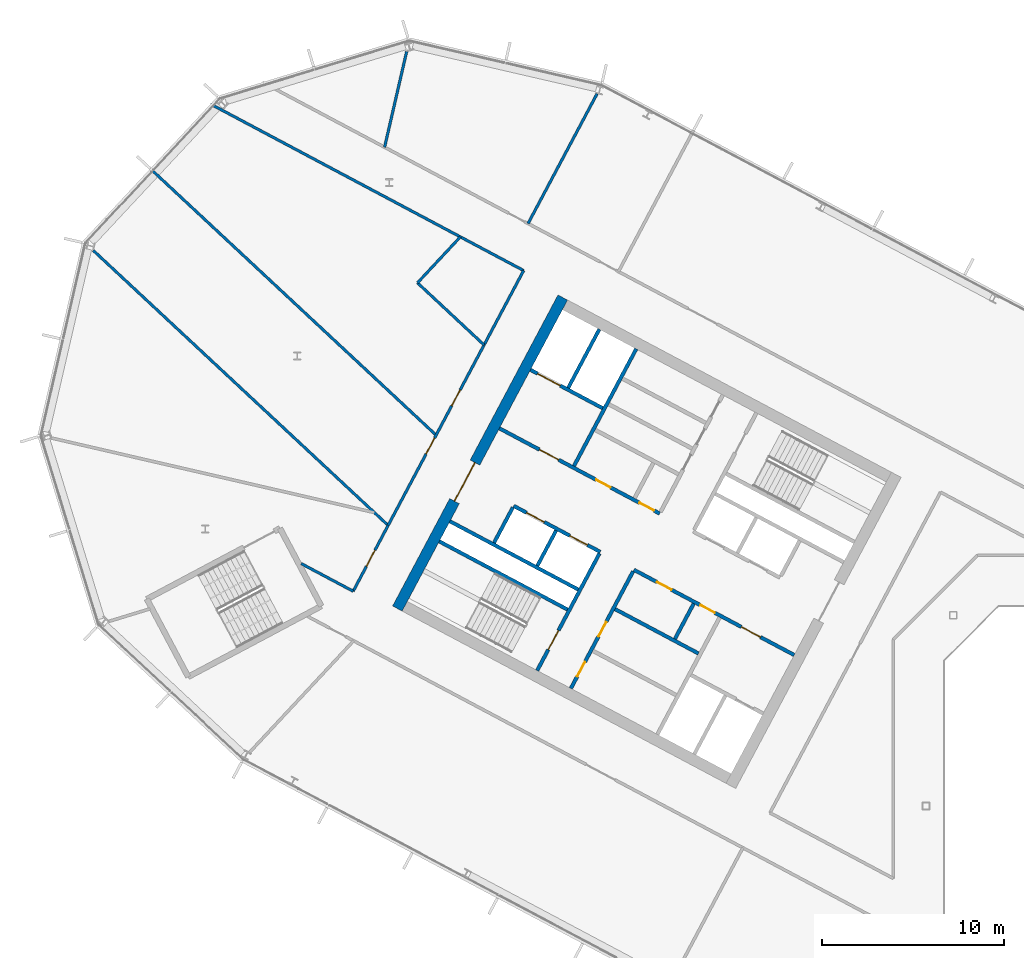
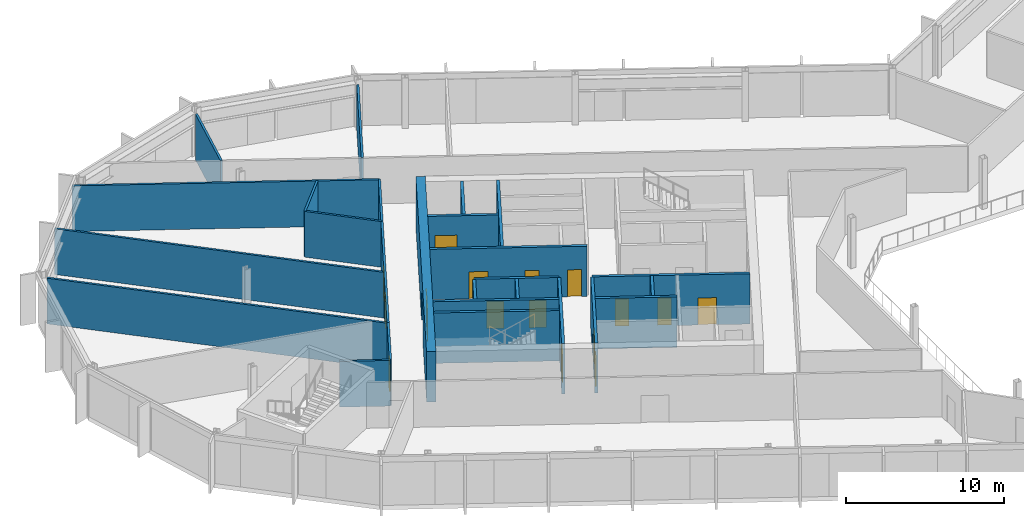
# One storey, part 13 of 26: 25 walls, 16 doors, 16 openings.
"""IFC4 building model written with IfcOpenShell, lengths in metres."""

import ifcopenshell
import ifcopenshell.guid

model = None  # the IFC model being written
_history = None  # IfcOwnerHistory: only IFC2X3 demands one
_inside = {}  # id of a spatial element -> (the spatial element, [elements in it])
_under = {}  # id of a project, library or spatial element -> (it, [spatial elements below it])
_declared = {}  # id of a project -> (the project, [libraries it declares])
_typed = {}  # id of a type object -> (the type object, [elements of that type])
_made_of = {}  # id of a material, layer set ... -> (it, [elements and type objects made of it])


def new_model(schema):
    """Start an empty IFC model of exactly this schema.

    Asked for "IFC4X3", IfcOpenShell would pick the latest addendum, in which some entities
    have other attributes; the version numbers below select the first issue.
    IFC2X3 requires an IfcOwnerHistory on every rooted entity: one is made here for all.
    """
    global model, _history
    if schema == "IFC4X3":
        model = ifcopenshell.file(schema_version=(4, 3, 0, 0))
    else:
        model = ifcopenshell.file(schema=schema)
    _inside.clear()
    _under.clear()
    _declared.clear()
    _typed.clear()
    _made_of.clear()
    _history = None
    if model.schema == "IFC2X3":
        org = make("IfcOrganization", Name="unknown")
        user = make(
            "IfcPersonAndOrganization",
            ThePerson=make("IfcPerson", FamilyName="unknown"),
            TheOrganization=org,
        )
        app = make(
            "IfcApplication",
            ApplicationDeveloper=org,
            Version="unknown",
            ApplicationFullName="unknown",
            ApplicationIdentifier="unknown",
        )
        _history = make(
            "IfcOwnerHistory",
            OwningUser=user,
            OwningApplication=app,
            ChangeAction="ADDED",
            CreationDate=0,
        )
    return model


def make(cls, **values):
    """One entity of the class cls with the attributes given. An attribute that is None is left unset."""
    return model.create_entity(
        cls, **{name: value for name, value in values.items() if value is not None}
    )


def rooted(cls, **values):
    """An entity with a GlobalId (a new one), such as an element, a storey or a relation."""
    return make(cls, GlobalId=ifcopenshell.guid.new(), OwnerHistory=_history, **values)


def si_unit(unit_type, name, prefix=None):
    """IfcSIUnit, for example si_unit("LENGTHUNIT", "METRE", prefix="MILLI")."""
    return make("IfcSIUnit", UnitType=unit_type, Prefix=prefix, Name=name)


def assignment(units):
    """IfcUnitAssignment: the units of a project."""
    return None if units is None else make("IfcUnitAssignment", Units=units)


def point(xyz):
    """IfcCartesianPoint."""
    return None if xyz is None else make("IfcCartesianPoint", Coordinates=xyz)


def direction(xyz):
    """IfcDirection."""
    return None if xyz is None else make("IfcDirection", DirectionRatios=xyz)


def frame(location, z_axis=None, x_axis=None):
    """IfcAxis2Placement3D, a coordinate frame: its origin and axes. An axis left out is left unset."""
    return make(
        "IfcAxis2Placement3D",
        Location=point(location),
        Axis=direction(z_axis),
        RefDirection=direction(x_axis),
    )


def frame_2d(location, x_axis=None):
    """IfcAxis2Placement2D, a coordinate frame in the plane: its origin and x axis."""
    return make(
        "IfcAxis2Placement2D", Location=point(location), RefDirection=direction(x_axis)
    )


def origin():
    """The frame at (0, 0, 0) with its axes left unset."""
    return frame((0.0, 0.0, 0.0))


def place(relative_to, where):
    """IfcLocalPlacement: puts the frame where relative to a parent placement (None: the world)."""
    return make(
        "IfcLocalPlacement", PlacementRelTo=relative_to, RelativePlacement=where
    )


def context(
    kind, dimensions, precision=None, world=None, true_north=None, identifier=None
):
    """IfcGeometricRepresentationContext, for example the 3D "Model" context."""
    return make(
        "IfcGeometricRepresentationContext",
        ContextIdentifier=identifier,
        ContextType=kind,
        CoordinateSpaceDimension=dimensions,
        Precision=precision,
        WorldCoordinateSystem=world,
        TrueNorth=true_north,
    )


def subcontext(parent, identifier, kind, view, scale=None):
    """IfcGeometricRepresentationSubContext, for example "Body" below "Model"."""
    return make(
        "IfcGeometricRepresentationSubContext",
        ContextIdentifier=identifier,
        ContextType=kind,
        ParentContext=parent,
        TargetScale=scale,
        TargetView=view,
    )


def project(units=None, contexts=None):
    """IfcProject with its units and contexts."""
    return rooted(
        "IfcProject",
        Name="project",
        RepresentationContexts=contexts,
        UnitsInContext=assignment(units),
    )


def spatial(cls, under=None, at=None, **own):
    """A site, building, storey or space (cls), placed at a placement, below another one or the project."""
    s = rooted(cls, ObjectPlacement=at, **own)
    if under is not None:
        _under.setdefault(under.id(), (under, []))[1].append(s)
    return s


def profile(cls, at=None, kind="AREA", **sizes):
    """A parametric profile (cls). Its sizes go by their IFC names, for example OverallWidth=200.0."""
    return make(cls, ProfileType=kind, Position=at, **sizes)


def rectangle(**sizes):
    """IfcRectangleProfileDef."""
    return profile("IfcRectangleProfileDef", **sizes)


def extrude(swept, where, along, depth):
    """IfcExtrudedAreaSolid: the profile swept, set in the frame where, extruded along a direction by depth."""
    return make(
        "IfcExtrudedAreaSolid",
        SweptArea=swept,
        Position=where,
        ExtrudedDirection=direction(along),
        Depth=depth,
    )


def shape(context_of_items, identifier, shape_type, items):
    """IfcShapeRepresentation: the items that make up one representation, for example the "Body"."""
    return make(
        "IfcShapeRepresentation",
        ContextOfItems=context_of_items,
        RepresentationIdentifier=identifier,
        RepresentationType=shape_type,
        Items=items,
    )


def material(Name=None, Category=None):
    """IfcMaterial."""
    return make("IfcMaterial", Name=Name, Category=Category)


def layer(
    of_material, thickness, ventilated=None, Name=None, Category=None, Priority=None
):
    """IfcMaterialLayer: one layer of a wall or slab, of a material (None: an air gap)."""
    return make(
        "IfcMaterialLayer",
        Material=of_material,
        LayerThickness=thickness,
        IsVentilated=ventilated,
        Name=Name,
        Category=Category,
        Priority=Priority,
    )


def layer_set(layers, Name=None):
    """IfcMaterialLayerSet."""
    return make("IfcMaterialLayerSet", MaterialLayers=layers, LayerSetName=Name)


def made_of(thing, what):
    """Note that an element or type object is made of a material, layer set ...; save() writes the relation."""
    if what is not None:
        _made_of.setdefault(what.id(), (what, []))[1].append(thing)
    return thing


def type_object(cls, material=None, **own):
    """A type object (cls), such as IfcWallType, which elements share."""
    return made_of(rooted(cls, **own), material)


def element(
    cls,
    number,
    at=None,
    inside=None,
    cuts=None,
    type_object=None,
    material=None,
    context=None,
    identifier="Body",
    shape_type=None,
    held_by="IfcProductDefinitionShape",
    body=None,
    shapes=None,
    **own,
):
    """One element of the class cls, such as IfcWall. Its Tag is "e" and its number.

    at: its placement. inside: the storey or other place that contains it. cuts: it is an
    opening in that element (IfcRelVoidsElement). A single representation is given by context,
    identifier, shape_type and body (its items); several are given by shapes. held_by: the class
    of the entity that holds the representations. save() writes the other relations.
    """
    e = rooted(cls, Tag="e%d" % number, ObjectPlacement=at, **own)
    if body is not None:
        shapes = [shape(context, identifier, shape_type, body)]
    if shapes is not None:
        e.Representation = make(held_by, Representations=shapes)
    if inside is not None:
        _inside.setdefault(inside.id(), (inside, []))[1].append(e)
    if cuts is not None:
        rooted(
            "IfcRelVoidsElement", RelatingBuildingElement=cuts, RelatedOpeningElement=e
        )
    if type_object is not None:
        _typed.setdefault(type_object.id(), (type_object, []))[1].append(e)
    return made_of(e, material)


def fill(opening, filler):
    """IfcRelFillsElement: the door or window that sits in an opening."""
    return rooted(
        "IfcRelFillsElement",
        RelatingOpeningElement=opening,
        RelatedBuildingElement=filler,
    )


def aggregate(whole, parts):
    """IfcRelAggregates: a whole, such as a stair, and the parts it consists of."""
    return rooted("IfcRelAggregates", RelatingObject=whole, RelatedObjects=parts)


def save(model, path):
    """Write the relations noted so far, then the file.

    IfcRelAggregates (storeys below a building ...), IfcRelContainedInSpatialStructure (elements
    in a storey), IfcRelDefinesByType, IfcRelAssociatesMaterial and IfcRelDeclares: one each for
    every whole, place, type object, material and project.
    """
    for whole, parts in _under.values():
        aggregate(whole, parts)
    for where, things in _inside.values():
        rooted(
            "IfcRelContainedInSpatialStructure",
            RelatedElements=things,
            RelatingStructure=where,
        )
    for kind, things in _typed.values():
        rooted("IfcRelDefinesByType", RelatedObjects=things, RelatingType=kind)
    for what, things in _made_of.values():
        rooted("IfcRelAssociatesMaterial", RelatedObjects=things, RelatingMaterial=what)
    for by, libraries in _declared.values():
        rooted("IfcRelDeclares", RelatingContext=by, RelatedDefinitions=libraries)
    model.write(path)


model = new_model("IFC4")

# Units and contexts
model_context = context("Model", 3, precision=1e-05, world=origin(), true_north=direction((0.0, 1.0)))
body_context = subcontext(model_context, "Body", "Model", "MODEL_VIEW")
ifc_project = project(units=[si_unit("LENGTHUNIT", "METRE"), si_unit("AREAUNIT", "SQUARE_METRE"), si_unit("VOLUMEUNIT", "CUBIC_METRE"), si_unit("PLANEANGLEUNIT", "RADIAN"), si_unit("MASSUNIT", "GRAM", prefix="KILO")], contexts=[model_context])

# Site, building, storey
site_placement = place(None, origin())
site = spatial("IfcSite", under=ifc_project, at=site_placement, CompositionType="ELEMENT")
building_placement = place(site_placement, origin())
building = spatial("IfcBuilding", under=site, at=building_placement, Name="Cormorant Relay Tower", CompositionType="ELEMENT")
storey_placement = place(building_placement, frame((0.0, 0.0, 197.39990234375)))
storey = spatial("IfcBuildingStorey", under=building, at=storey_placement, Name="L42", CompositionType="ELEMENT", Elevation=197.39990234375)

# Walls
ifc_material_1 = material(Name="Concrete 40 MPa", Category="concrete")
ifc_layer_1 = layer(ifc_material_1, 0.199951171875)
ifc_layer_set_1 = layer_set([ifc_layer_1], Name="Core internal wall 200")
wall_type_1 = type_object("IfcWallType", Name="Core internal wall 200", PredefinedType="SOLIDWALL", material=ifc_layer_set_1)
for number, where, z_axis, x_axis, name in (
    (1, (-24.79052734375, 11.142822265625, 0.0), (0.0, 0.0, 1.0), (-0.469487830541, -0.882938942948, 0.0), "L42 core A shaft and room wall"),
    (2, (-32.3662109375, 15.1708984375, 0.0), (0.0, 0.0, 1.0), (-0.469487830541, -0.882938942948, 0.0), "L42 core A shaft and room wall"),
):
    element("IfcWall", number, at=place(storey_placement, frame(where, z_axis=z_axis, x_axis=x_axis)), inside=storey, type_object=wall_type_1, Name=name, PredefinedType="SOLIDWALL", context=body_context, shape_type="SweptSolid", body=[
        extrude(rectangle(XDim=2.2001953125, YDim=0.199951171875, at=frame_2d((1.10009765625, 0.0))), origin(), (0.0, 0.0, 1.0), 3.900146484375),
    ])

# Wall, openings, doors
ifc_material_2 = material(Name="Concrete 50 MPa", Category="concrete")
ifc_layer_2 = layer(ifc_material_2, 0.199951171875)
ifc_layer_set_2 = layer_set([ifc_layer_2], Name="Core shaft wall 200")
wall_type_2 = type_object("IfcWallType", Name="Core shaft wall 200", PredefinedType="SHEAR", material=ifc_layer_set_2)
wall_1_placement = place(storey_placement, frame((-28.128173828125, 12.91748046875, 0.0), z_axis=(0.0, 0.0, 1.0), x_axis=(-0.469454336211, -0.882956752176, 0.0)))
wall_1 = element("IfcWall", 3, at=wall_1_placement, inside=storey, type_object=wall_type_2, Name="L42 core A shaft wall", PredefinedType="SHEAR", context=body_context, shape_type="SweptSolid", body=[
    extrude(rectangle(XDim=7.300048828125, YDim=0.199951171875, at=frame_2d((3.64990234375, 0.0))), origin(), (0.0, 0.0, 1.0), 3.900146484375),
])
opening_1_placement = place(wall_1_placement, frame((3.14990234375, 0.0, 0.0)))
opening_1 = element("IfcOpeningElement", 4, at=opening_1_placement, cuts=wall_1, Name="Opening CDD-236", PredefinedType="OPENING", context=body_context, shape_type="SweptSolid", body=[
    extrude(rectangle(XDim=0.89990234375, YDim=2.10009765625, at=frame_2d((0.449951171875, 1.050048828125))), frame((0.0, 0.10986328125, 0.0), z_axis=(0.0, -1.0, 0.0), x_axis=(1.0, 0.0, 0.0)), (0.0, 0.0, 1.0), 0.219970703125),
])
opening_2_placement = place(wall_1_placement, frame((5.64990234375, 0.0, 0.0)))
opening_2 = element("IfcOpeningElement", 5, at=opening_2_placement, cuts=wall_1, Name="Opening CDD-237", PredefinedType="OPENING", context=body_context, shape_type="SweptSolid", body=[
    extrude(rectangle(XDim=0.89990234375, YDim=2.10009765625, at=frame_2d((0.449951171875, 1.050048828125))), frame((0.0, 0.10986328125, 0.0), z_axis=(0.0, -1.0, 0.0), x_axis=(1.0, 0.0, 0.0)), (0.0, 0.0, 1.0), 0.219970703125),
])
ifc_material_3 = material(Name="Steel fire door", Category="steel")
door_type_1 = type_object("IfcDoorType", Name="Core room door 900x2100", OperationType="SINGLE_SWING_LEFT", PredefinedType="DOOR", material=ifc_material_3)
door_1_placement = place(opening_1_placement, origin())
door_1 = element("IfcDoor", 6, at=door_1_placement, inside=storey, type_object=door_type_1, Name="Core room door 900x2100", OperationType="SINGLE_SWING_LEFT", OverallHeight=2.10009765625, OverallWidth=0.89990234375, PredefinedType="DOOR", context=body_context, shape_type="SweptSolid", body=[
    extrude(rectangle(XDim=0.89990234375, YDim=2.10009765625, at=frame_2d((0.449951171875, 1.050048828125))), frame((0.0, 0.02490234375, 0.0), z_axis=(0.0, -1.0, 0.0), x_axis=(1.0, 0.0, 0.0)), (0.0, 0.0, 1.0), 0.050048828125),
])
fill(opening_1, door_1)
door_2_placement = place(opening_2_placement, origin())
door_2 = element("IfcDoor", 7, at=door_2_placement, inside=storey, type_object=door_type_1, Name="Core room door 900x2100", OperationType="SINGLE_SWING_LEFT", OverallHeight=2.10009765625, OverallWidth=0.89990234375, PredefinedType="DOOR", context=body_context, shape_type="SweptSolid", body=[
    extrude(rectangle(XDim=0.89990234375, YDim=2.10009765625, at=frame_2d((0.449951171875, 1.050048828125))), frame((0.0, 0.02490234375, 0.0), z_axis=(0.0, -1.0, 0.0), x_axis=(1.0, 0.0, 0.0)), (0.0, 0.0, 1.0), 0.050048828125),
])
fill(opening_2, door_2)

# Wall, opening, door
wall_2_placement = place(storey_placement, frame((-29.982421875, 13.9033203125, 0.0), z_axis=(0.0, 0.0, 1.0), x_axis=(-0.469454336211, -0.882956752176, 0.0)))
wall_2 = element("IfcWall", 8, at=wall_2_placement, inside=storey, type_object=wall_type_2, Name="L42 core A shaft wall", PredefinedType="SHEAR", context=body_context, shape_type="SweptSolid", body=[
    extrude(rectangle(XDim=7.300048828125, YDim=0.199951171875, at=frame_2d((3.64990234375, 0.0))), origin(), (0.0, 0.0, 1.0), 3.900146484375),
])
opening_3_placement = place(wall_2_placement, frame((4.800048828125, 0.0, 0.0)))
opening_3 = element("IfcOpeningElement", 9, at=opening_3_placement, cuts=wall_2, Name="Opening CDB-039", PredefinedType="OPENING", context=body_context, shape_type="SweptSolid", body=[
    extrude(rectangle(XDim=1.199951171875, YDim=2.10009765625, at=frame_2d((0.60009765625, 1.050048828125))), frame((0.0, 0.10986328125, 0.0), z_axis=(0.0, -1.0, 0.0), x_axis=(1.0, 0.0, 0.0)), (0.0, 0.0, 1.0), 0.219970703125),
])
ifc_material_4 = material(Name="Steel fire door", Category="steel")
door_type_2 = type_object("IfcDoorType", Name="Core stair door 1200x2100", OperationType="SINGLE_SWING_LEFT", PredefinedType="DOOR", material=ifc_material_4)
door_3_placement = place(opening_3_placement, frame((1.199951171875, 0.0, 0.0), z_axis=(0.0, 0.0, 1.0), x_axis=(-1.0, 0.0, 0.0)))
door_3 = element("IfcDoor", 10, at=door_3_placement, inside=storey, type_object=door_type_2, Name="Core stair door 1200x2100", OperationType="SINGLE_SWING_RIGHT", OverallHeight=2.10009765625, OverallWidth=1.199951171875, PredefinedType="DOOR", context=body_context, shape_type="SweptSolid", body=[
    extrude(rectangle(XDim=1.199951171875, YDim=2.10009765625, at=frame_2d((0.60009765625, 1.050048828125))), frame((0.0, 0.02490234375, 0.0), z_axis=(0.0, -1.0, 0.0), x_axis=(1.0, 0.0, 0.0)), (0.0, 0.0, 1.0), 0.050048828125),
])
fill(opening_3, door_3)

# Walls
wall_3_placement = place(storey_placement, frame((-27.955322265625, 25.170654296875, 0.0), z_axis=(0.0, 0.0, 1.0), x_axis=(-0.469480409012, -0.88294288918, 0.0)))
element("IfcWall", 11, at=wall_3_placement, inside=storey, type_object=wall_type_2, Name="L42 core A shaft wall", PredefinedType="SHEAR", context=body_context, shape_type="SweptSolid", body=[
    extrude(rectangle(XDim=7.300048828125, YDim=0.199951171875, at=frame_2d((3.64990234375, 0.0))), origin(), (0.0, 0.0, 1.0), 3.900146484375),
])
wall_4_placement = place(storey_placement, frame((-34.750244140625, 16.4384765625, 0.0), z_axis=(0.0, 0.0, 1.0), x_axis=(-0.469401318492, -0.882984938828, 0.0)))
element("IfcWall", 12, at=wall_4_placement, inside=storey, type_object=wall_type_2, Name="L42 core A shaft wall", PredefinedType="SHEAR", context=body_context, shape_type="SweptSolid", body=[
    extrude(rectangle(XDim=2.199951171875, YDim=0.199951171875, at=frame_2d((1.10009765625, 0.0))), origin(), (0.0, 0.0, 1.0), 3.900146484375),
])
wall_5_placement = place(storey_placement, frame((-29.986083984375, 26.250244140625, 0.0), z_axis=(0.0, 0.0, 1.0), x_axis=(-0.469494272526, -0.882935517501, 0.0)))
element("IfcWall", 13, at=wall_5_placement, inside=storey, type_object=wall_type_2, Name="L42 core A shaft wall", PredefinedType="SHEAR", context=body_context, shape_type="SweptSolid", body=[
    extrude(rectangle(XDim=3.64990234375, YDim=0.199951171875, at=frame_2d((1.824951171875, 0.0))), origin(), (0.0, 0.0, 1.0), 3.900146484375),
])

# Wall, opening, door
wall_6_placement = place(storey_placement, frame((-29.80419921875, 21.906494140625, 0.0), z_axis=(0.0, 0.0, 1.0), x_axis=(-0.882960433586, 0.469447412093, 0.0)))
wall_6 = element("IfcWall", 14, at=wall_6_placement, inside=storey, type_object=wall_type_2, Name="L42 core A shaft wall", PredefinedType="SHEAR", context=body_context, shape_type="SweptSolid", body=[
    extrude(rectangle(XDim=4.5, YDim=0.199951171875, at=frame_2d((2.25, 0.0))), origin(), (0.0, 0.0, 1.0), 3.900146484375),
])
opening_4_placement = place(wall_6_placement, frame((2.64990234375, 0.0, 0.0)))
opening_4 = element("IfcOpeningElement", 15, at=opening_4_placement, cuts=wall_6, Name="Opening LD3-015", PredefinedType="OPENING", context=body_context, shape_type="SweptSolid", body=[
    extrude(rectangle(XDim=1.39990234375, YDim=2.39990234375, at=frame_2d((0.699951171875, 1.199951171875))), frame((0.0, 0.10986328125, 0.0), z_axis=(0.0, -1.0, 0.0), x_axis=(1.0, 0.0, 0.0)), (0.0, 0.0, 1.0), 0.219970703125),
])
ifc_material_5 = material(Name="Stainless steel 316", Category="steel")
door_type_3 = type_object("IfcDoorType", Name="Lift landing door 1400x2400", OperationType="DOUBLE_DOOR_SLIDING", PredefinedType="DOOR", material=ifc_material_5)
door_4_placement = place(opening_4_placement, origin())
door_4 = element("IfcDoor", 16, at=door_4_placement, inside=storey, type_object=door_type_3, Name="SV1 landing door", OperationType="DOUBLE_DOOR_SLIDING", OverallHeight=2.39990234375, OverallWidth=1.39990234375, PredefinedType="DOOR", context=body_context, shape_type="SweptSolid", body=[
    extrude(rectangle(XDim=1.39990234375, YDim=2.39990234375, at=frame_2d((0.699951171875, 1.199951171875))), frame((0.0, 0.02490234375, 0.0), z_axis=(0.0, -1.0, 0.0), x_axis=(1.0, 0.0, 0.0)), (0.0, 0.0, 1.0), 0.050048828125),
])
fill(opening_4, door_4)

# Wall, openings, doors
wall_7_placement = place(storey_placement, frame((-26.66162109375, 16.1015625, 0.0), z_axis=(0.0, 0.0, 1.0), x_axis=(-0.882940221191, 0.469485426614, 0.0)))
wall_7 = element("IfcWall", 17, at=wall_7_placement, inside=storey, type_object=wall_type_2, Name="L42 core A shaft wall", PredefinedType="SHEAR", context=body_context, shape_type="SweptSolid", body=[
    extrude(rectangle(XDim=10.0, YDim=0.199951171875, at=frame_2d((5.0, 0.0))), origin(), (0.0, 0.0, 1.0), 3.900146484375),
])
opening_5_placement = place(wall_7_placement, frame((6.300048828125, 0.0, 0.0)))
opening_5 = element("IfcOpeningElement", 18, at=opening_5_placement, cuts=wall_7, Name="Opening CDC-034", PredefinedType="OPENING", context=body_context, shape_type="SweptSolid", body=[
    extrude(rectangle(XDim=1.199951171875, YDim=2.10009765625, at=frame_2d((0.60009765625, 1.050048828125))), frame((0.0, 0.10986328125, 0.0), z_axis=(0.0, -1.0, 0.0), x_axis=(1.0, 0.0, 0.0)), (0.0, 0.0, 1.0), 0.219970703125),
])
opening_6_placement = place(wall_7_placement, frame((0.360107421875, 0.0, 0.0)))
opening_6 = element("IfcOpeningElement", 19, at=opening_6_placement, cuts=wall_7, Name="Opening CDD-234", PredefinedType="OPENING", context=body_context, shape_type="SweptSolid", body=[
    extrude(rectangle(XDim=0.89990234375, YDim=2.10009765625, at=frame_2d((0.449951171875, 1.050048828125))), frame((0.0, 0.10986328125, 0.0), z_axis=(0.0, -1.0, 0.0), x_axis=(1.0, 0.0, 0.0)), (0.0, 0.0, 1.0), 0.219970703125),
])
opening_7_placement = place(wall_7_placement, frame((3.06005859375, 0.0, 0.0)))
opening_7 = element("IfcOpeningElement", 20, at=opening_7_placement, cuts=wall_7, Name="Opening CDD-235", PredefinedType="OPENING", context=body_context, shape_type="SweptSolid", body=[
    extrude(rectangle(XDim=0.89990234375, YDim=2.10009765625, at=frame_2d((0.449951171875, 1.050048828125))), frame((0.0, 0.10986328125, 0.0), z_axis=(0.0, -1.0, 0.0), x_axis=(1.0, 0.0, 0.0)), (0.0, 0.0, 1.0), 0.219970703125),
])
ifc_material_6 = material(Name="Steel fire door", Category="steel")
door_type_4 = type_object("IfcDoorType", Name="Core lobby door 1200x2100", OperationType="SINGLE_SWING_LEFT", PredefinedType="DOOR", material=ifc_material_6)
door_5_placement = place(opening_5_placement, origin())
door_5 = element("IfcDoor", 21, at=door_5_placement, inside=storey, type_object=door_type_4, Name="Core lobby door 1200x2100", OperationType="SINGLE_SWING_LEFT", OverallHeight=2.10009765625, OverallWidth=1.199951171875, PredefinedType="DOOR", context=body_context, shape_type="SweptSolid", body=[
    extrude(rectangle(XDim=1.199951171875, YDim=2.10009765625, at=frame_2d((0.60009765625, 1.050048828125))), frame((0.0, 0.02490234375, 0.0), z_axis=(0.0, -1.0, 0.0), x_axis=(1.0, 0.0, 0.0)), (0.0, 0.0, 1.0), 0.050048828125),
])
fill(opening_5, door_5)
door_6_placement = place(opening_6_placement, frame((0.89990234375, 0.0, 0.0), z_axis=(0.0, 0.0, 1.0), x_axis=(-1.0, 0.0, 0.0)))
door_6 = element("IfcDoor", 22, at=door_6_placement, inside=storey, type_object=door_type_1, Name="Core room door 900x2100", OperationType="SINGLE_SWING_RIGHT", OverallHeight=2.10009765625, OverallWidth=0.89990234375, PredefinedType="DOOR", context=body_context, shape_type="SweptSolid", body=[
    extrude(rectangle(XDim=0.89990234375, YDim=2.10009765625, at=frame_2d((0.449951171875, 1.050048828125))), frame((0.0, 0.02490234375, 0.0), z_axis=(0.0, -1.0, 0.0), x_axis=(1.0, 0.0, 0.0)), (0.0, 0.0, 1.0), 0.050048828125),
])
fill(opening_6, door_6)
door_7_placement = place(opening_7_placement, frame((0.89990234375, 0.0, 0.0), z_axis=(0.0, 0.0, 1.0), x_axis=(-1.0, 0.0, 0.0)))
door_7 = element("IfcDoor", 23, at=door_7_placement, inside=storey, type_object=door_type_1, Name="Core room door 900x2100", OperationType="SINGLE_SWING_RIGHT", OverallHeight=2.10009765625, OverallWidth=0.89990234375, PredefinedType="DOOR", context=body_context, shape_type="SweptSolid", body=[
    extrude(rectangle(XDim=0.89990234375, YDim=2.10009765625, at=frame_2d((0.449951171875, 1.050048828125))), frame((0.0, 0.02490234375, 0.0), z_axis=(0.0, -1.0, 0.0), x_axis=(1.0, 0.0, 0.0)), (0.0, 0.0, 1.0), 0.050048828125),
])
fill(opening_7, door_7)

wall_8_placement = place(storey_placement, frame((-19.251708984375, 8.31103515625, 0.0), z_axis=(0.0, 0.0, 1.0), x_axis=(-0.882955722218, 0.469456273365, 0.0)))
wall_8 = element("IfcWall", 24, at=wall_8_placement, inside=storey, type_object=wall_type_2, Name="L42 core A shaft wall", PredefinedType="SHEAR", context=body_context, shape_type="SweptSolid", body=[
    extrude(rectangle(XDim=10.0, YDim=0.199951171875, at=frame_2d((5.0, 0.0))), origin(), (0.0, 0.0, 1.0), 3.900146484375),
])
opening_8_placement = place(wall_8_placement, frame((2.10009765625, 0.0, 0.0)))
opening_8 = element("IfcOpeningElement", 25, at=opening_8_placement, cuts=wall_8, Name="Opening CDC-033", PredefinedType="OPENING", context=body_context, shape_type="SweptSolid", body=[
    extrude(rectangle(XDim=1.199951171875, YDim=2.10009765625, at=frame_2d((0.60009765625, 1.050048828125))), frame((0.0, 0.10986328125, 0.0), z_axis=(0.0, -1.0, 0.0), x_axis=(1.0, 0.0, 0.0)), (0.0, 0.0, 1.0), 0.219970703125),
])
opening_9_placement = place(wall_8_placement, frame((4.9599609375, 0.0, 0.0)))
opening_9 = element("IfcOpeningElement", 26, at=opening_9_placement, cuts=wall_8, Name="Opening CDD-232", PredefinedType="OPENING", context=body_context, shape_type="SweptSolid", body=[
    extrude(rectangle(XDim=0.89990234375, YDim=2.10009765625, at=frame_2d((0.449951171875, 1.050048828125))), frame((0.0, 0.10986328125, 0.0), z_axis=(0.0, -1.0, 0.0), x_axis=(1.0, 0.0, 0.0)), (0.0, 0.0, 1.0), 0.219970703125),
])
opening_10_placement = place(wall_8_placement, frame((7.659912109375, 0.0, 0.0)))
opening_10 = element("IfcOpeningElement", 27, at=opening_10_placement, cuts=wall_8, Name="Opening CDD-233", PredefinedType="OPENING", context=body_context, shape_type="SweptSolid", body=[
    extrude(rectangle(XDim=0.89990234375, YDim=2.10009765625, at=frame_2d((0.449951171875, 1.050048828125))), frame((0.0, 0.10986328125, 0.0), z_axis=(0.0, -1.0, 0.0), x_axis=(1.0, 0.0, 0.0)), (0.0, 0.0, 1.0), 0.219970703125),
])
door_8_placement = place(opening_8_placement, origin())
door_8 = element("IfcDoor", 28, at=door_8_placement, inside=storey, type_object=door_type_4, Name="Core lobby door 1200x2100", OperationType="SINGLE_SWING_RIGHT", OverallHeight=2.10009765625, OverallWidth=1.199951171875, PredefinedType="DOOR", context=body_context, shape_type="SweptSolid", body=[
    extrude(rectangle(XDim=1.199951171875, YDim=2.10009765625, at=frame_2d((0.60009765625, 1.050048828125))), frame((0.0, 0.02490234375, 0.0), z_axis=(0.0, -1.0, 0.0), x_axis=(1.0, 0.0, 0.0)), (0.0, 0.0, 1.0), 0.050048828125),
])
fill(opening_8, door_8)
door_9_placement = place(opening_9_placement, origin())
door_9 = element("IfcDoor", 29, at=door_9_placement, inside=storey, type_object=door_type_1, Name="Core room door 900x2100", OperationType="SINGLE_SWING_LEFT", OverallHeight=2.10009765625, OverallWidth=0.89990234375, PredefinedType="DOOR", context=body_context, shape_type="SweptSolid", body=[
    extrude(rectangle(XDim=0.89990234375, YDim=2.10009765625, at=frame_2d((0.449951171875, 1.050048828125))), frame((0.0, 0.02490234375, 0.0), z_axis=(0.0, -1.0, 0.0), x_axis=(1.0, 0.0, 0.0)), (0.0, 0.0, 1.0), 0.050048828125),
])
fill(opening_9, door_9)
door_10_placement = place(opening_10_placement, origin())
door_10 = element("IfcDoor", 30, at=door_10_placement, inside=storey, type_object=door_type_1, Name="Core room door 900x2100", OperationType="SINGLE_SWING_LEFT", OverallHeight=2.10009765625, OverallWidth=0.89990234375, PredefinedType="DOOR", context=body_context, shape_type="SweptSolid", body=[
    extrude(rectangle(XDim=0.89990234375, YDim=2.10009765625, at=frame_2d((0.449951171875, 1.050048828125))), frame((0.0, 0.02490234375, 0.0), z_axis=(0.0, -1.0, 0.0), x_axis=(1.0, 0.0, 0.0)), (0.0, 0.0, 1.0), 0.050048828125),
])
fill(opening_10, door_10)

wall_9_placement = place(storey_placement, frame((-29.935302734375, 13.991455078125, 0.0), z_axis=(0.0, 0.0, 1.0), x_axis=(-0.882952937579, 0.469461510692, 0.0)))
wall_9 = element("IfcWall", 31, at=wall_9_placement, inside=storey, type_object=wall_type_2, Name="L42 core A shaft wall", PredefinedType="SHEAR", context=body_context, shape_type="SweptSolid", body=[
    extrude(rectangle(XDim=5.400146484375, YDim=0.199951171875, at=frame_2d((2.7001953125, 0.0))), origin(), (0.0, 0.0, 1.0), 3.900146484375),
])
opening_11_placement = place(wall_9_placement, frame((0.800048828125, 0.0, 0.0)))
opening_11 = element("IfcOpeningElement", 32, at=opening_11_placement, cuts=wall_9, Name="Opening LD1-059", PredefinedType="OPENING", context=body_context, shape_type="SweptSolid", body=[
    extrude(rectangle(XDim=1.10009765625, YDim=2.10009765625, at=frame_2d((0.550048828125, 1.050048828125))), frame((0.0, 0.10986328125, 0.0), z_axis=(0.0, -1.0, 0.0), x_axis=(1.0, 0.0, 0.0)), (0.0, 0.0, 1.0), 0.219970703125),
])
opening_12_placement = place(wall_9_placement, frame((3.5, 0.0, 0.0)))
opening_12 = element("IfcOpeningElement", 33, at=opening_12_placement, cuts=wall_9, Name="Opening LD1-060", PredefinedType="OPENING", context=body_context, shape_type="SweptSolid", body=[
    extrude(rectangle(XDim=1.10009765625, YDim=2.10009765625, at=frame_2d((0.550048828125, 1.050048828125))), frame((0.0, 0.10986328125, 0.0), z_axis=(0.0, -1.0, 0.0), x_axis=(1.0, 0.0, 0.0)), (0.0, 0.0, 1.0), 0.219970703125),
])
ifc_material_7 = material(Name="Stainless steel 316", Category="steel")
door_type_5 = type_object("IfcDoorType", Name="Lift landing door 1100x2100", OperationType="DOUBLE_DOOR_SLIDING", PredefinedType="DOOR", material=ifc_material_7)
door_11_placement = place(opening_11_placement, origin())
door_11 = element("IfcDoor", 34, at=door_11_placement, inside=storey, type_object=door_type_5, Name="MR1 landing door", OperationType="DOUBLE_DOOR_SLIDING", OverallHeight=2.10009765625, OverallWidth=1.10009765625, PredefinedType="DOOR", context=body_context, shape_type="SweptSolid", body=[
    extrude(rectangle(XDim=1.10009765625, YDim=2.10009765625, at=frame_2d((0.550048828125, 1.050048828125))), frame((0.0, 0.02490234375, 0.0), z_axis=(0.0, -1.0, 0.0), x_axis=(1.0, 0.0, 0.0)), (0.0, 0.0, 1.0), 0.050048828125),
])
fill(opening_11, door_11)
door_12_placement = place(opening_12_placement, origin())
door_12 = element("IfcDoor", 35, at=door_12_placement, inside=storey, type_object=door_type_5, Name="MR2 landing door", OperationType="DOUBLE_DOOR_SLIDING", OverallHeight=2.10009765625, OverallWidth=1.10009765625, PredefinedType="DOOR", context=body_context, shape_type="SweptSolid", body=[
    extrude(rectangle(XDim=1.10009765625, YDim=2.10009765625, at=frame_2d((0.550048828125, 1.050048828125))), frame((0.0, 0.02490234375, 0.0), z_axis=(0.0, -1.0, 0.0), x_axis=(1.0, 0.0, 0.0)), (0.0, 0.0, 1.0), 0.050048828125),
])
fill(opening_12, door_12)

# Walls
wall_10_placement = place(storey_placement, frame((-24.5283203125, 8.3984375, 0.0), z_axis=(0.0, 0.0, 1.0), x_axis=(-0.882953967957, 0.469459572775, 0.0)))
element("IfcWall", 36, at=wall_10_placement, inside=storey, type_object=wall_type_2, Name="L42 core A shaft wall", PredefinedType="SHEAR", context=body_context, shape_type="SweptSolid", body=[
    extrude(rectangle(XDim=5.199951171875, YDim=0.199951171875, at=frame_2d((2.60009765625, 0.0))), origin(), (0.0, 0.0, 1.0), 3.900146484375),
])
for number, where, z_axis, x_axis, name in (
    (37, (-31.150390625, 11.91943359375, 0.0), (0.0, 0.0, 1.0), (-0.882940221191, 0.469485426614, 0.0), "L42 core A shaft wall"),
    (38, (-31.7373046875, 10.815673828125, 0.0), (0.0, 0.0, 1.0), (-0.882940221191, 0.469485426614, 0.0), "L42 core A shaft wall"),
):
    element("IfcWall", number, at=place(storey_placement, frame(where, z_axis=z_axis, x_axis=x_axis)), inside=storey, type_object=wall_type_2, Name=name, PredefinedType="SHEAR", context=body_context, shape_type="SweptSolid", body=[
        extrude(rectangle(XDim=8.0, YDim=0.199951171875, at=frame_2d((4.0, 0.0))), origin(), (0.0, 0.0, 1.0), 3.900146484375),
    ])

# Wall, opening, door
ifc_material_8 = material(Name="Concrete 50 MPa", Category="concrete")
ifc_layer_3 = layer(ifc_material_8, 0.60009765625)
ifc_layer_set_3 = layer_set([ifc_layer_3], Name="Core wall 600")
wall_type_3 = type_object("IfcWallType", Name="Core wall 600", PredefinedType="SHEAR", material=ifc_layer_set_3)
wall_11_placement = place(storey_placement, frame((-32.000244140625, 28.000732421875, 0.0), z_axis=(0.0, 0.0, 1.0), x_axis=(-0.469468958625, -0.882948977511, 0.0)))
wall_11 = element("IfcWall", 39, at=wall_11_placement, inside=storey, type_object=wall_type_3, Name="L42 core A wall", PredefinedType="SHEAR", context=body_context, shape_type="SweptSolid", body=[
    extrude(rectangle(XDim=19.39990234375, YDim=0.60009765625, at=frame_2d((9.699951171875, 0.0))), origin(), (0.0, 0.0, 1.0), 3.900146484375),
])
opening_13_placement = place(wall_11_placement, frame((10.300048828125, 0.0, 0.0)))
opening_13 = element("IfcOpeningElement", 40, at=opening_13_placement, cuts=wall_11, Name="Opening CDA-041", PredefinedType="OPENING", context=body_context, shape_type="SweptSolid", body=[
    extrude(rectangle(XDim=2.39990234375, YDim=2.39990234375, at=frame_2d((1.199951171875, 1.199951171875))), frame((0.0, 0.31005859375, 0.0), z_axis=(0.0, -1.0, 0.0), x_axis=(1.0, 0.0, 0.0)), (0.0, 0.0, 1.0), 0.6201171875),
])
ifc_material_9 = material(Name="Steel fire door", Category="steel")
door_type_6 = type_object("IfcDoorType", Name="Core lobby door 2400x2400", OperationType="DOUBLE_DOOR_SINGLE_SWING", PredefinedType="DOOR", material=ifc_material_9)
door_13_placement = place(opening_13_placement, origin())
door_13 = element("IfcDoor", 41, at=door_13_placement, inside=storey, type_object=door_type_6, Name="Core lobby door 2400x2400", OperationType="DOUBLE_DOOR_SINGLE_SWING", OverallHeight=2.39990234375, OverallWidth=2.39990234375, PredefinedType="DOOR", context=body_context, shape_type="SweptSolid", body=[
    extrude(rectangle(XDim=2.39990234375, YDim=2.39990234375, at=frame_2d((1.199951171875, 1.199951171875))), frame((0.0, 0.02490234375, 0.0), z_axis=(0.0, -1.0, 0.0), x_axis=(1.0, 0.0, 0.0)), (0.0, 0.0, 1.0), 0.050048828125),
])
fill(opening_13, door_13)

# Wall, openings, doors
ifc_material_10 = material(Name="Gypsum board fire partition")
ifc_layer_4 = layer(ifc_material_10, 0.14990234375)
ifc_layer_set_4 = layer_set([ifc_layer_4], Name="Corridor partition 150 EI 60")
wall_type_4 = type_object("IfcWallType", Name="Corridor partition 150 EI 60", PredefinedType="PARTITIONING", material=ifc_layer_set_4)
wall_12_placement = place(storey_placement, frame((-41.617919921875, 15.449951171875, 0.0), z_axis=(0.0, 0.0, 1.0), x_axis=(0.46945912711, 0.882954204913, 0.0)))
wall_12 = element("IfcWall", 42, at=wall_12_placement, inside=storey, type_object=wall_type_4, Name="wall/L42/part/007", PredefinedType="PARTITIONING", context=body_context, shape_type="SweptSolid", body=[
    extrude(rectangle(XDim=15.896728515625, YDim=0.14990234375, at=frame_2d((7.9482421875, 0.0))), origin(), (0.0, 0.0, 1.0), 3.5400390625),
])
opening_14_placement = place(wall_12_placement, frame((7.448974609375, 0.0, 0.0)))
opening_14 = element("IfcOpeningElement", 43, at=opening_14_placement, cuts=wall_12, Name="Opening DS-111", PredefinedType="OPENING", context=body_context, shape_type="SweptSolid", body=[
    extrude(rectangle(XDim=1.0, YDim=2.10009765625, at=frame_2d((0.5, 1.050048828125))), frame((0.0, 0.0849609375, 0.0), z_axis=(0.0, -1.0, 0.0), x_axis=(1.0, 0.0, 0.0)), (0.0, 0.0, 1.0), 0.169921875),
])
opening_15_placement = place(wall_12_placement, frame((4.449951171875, 0.0, 0.0)))
opening_15 = element("IfcOpeningElement", 44, at=opening_15_placement, cuts=wall_12, Name="Opening DS-112", PredefinedType="OPENING", context=body_context, shape_type="SweptSolid", body=[
    extrude(rectangle(XDim=1.0, YDim=2.10009765625, at=frame_2d((0.5, 1.050048828125))), frame((0.0, 0.0849609375, 0.0), z_axis=(0.0, -1.0, 0.0), x_axis=(1.0, 0.0, 0.0)), (0.0, 0.0, 1.0), 0.169921875),
])
ifc_material_11 = material(Name="Timber door leaf", Category="wood")
door_type_7 = type_object("IfcDoorType", Name="Suite door 1000x2100", OperationType="SINGLE_SWING_LEFT", PredefinedType="DOOR", material=ifc_material_11)
door_14_placement = place(opening_14_placement, origin())
door_14 = element("IfcDoor", 45, at=door_14_placement, inside=storey, type_object=door_type_7, Name="door/L42/005", OperationType="SINGLE_SWING_RIGHT", OverallHeight=2.10009765625, OverallWidth=1.0, PredefinedType="DOOR", context=body_context, shape_type="SweptSolid", body=[
    extrude(rectangle(XDim=1.0, YDim=2.10009765625, at=frame_2d((0.5, 1.050048828125))), frame((0.0, 0.02490234375, 0.0), z_axis=(0.0, -1.0, 0.0), x_axis=(1.0, 0.0, 0.0)), (0.0, 0.0, 1.0), 0.050048828125),
])
fill(opening_14, door_14)
door_15_placement = place(opening_15_placement, origin())
door_15 = element("IfcDoor", 46, at=door_15_placement, inside=storey, type_object=door_type_7, Name="door/L42/006", OperationType="SINGLE_SWING_RIGHT", OverallHeight=2.10009765625, OverallWidth=1.0, PredefinedType="DOOR", context=body_context, shape_type="SweptSolid", body=[
    extrude(rectangle(XDim=1.0, YDim=2.10009765625, at=frame_2d((0.5, 1.050048828125))), frame((0.0, 0.02490234375, 0.0), z_axis=(0.0, -1.0, 0.0), x_axis=(1.0, 0.0, 0.0)), (0.0, 0.0, 1.0), 0.050048828125),
])
fill(opening_15, door_15)

# Walls
wall_13_placement = place(storey_placement, frame((-34.155029296875, 29.486083984375, 0.0), z_axis=(0.0, 0.0, 1.0), x_axis=(-0.882941970897, 0.469482136006, 0.0)))
element("IfcWall", 47, at=wall_13_placement, inside=storey, type_object=wall_type_4, Name="wall/L42/part/008", PredefinedType="PARTITIONING", context=body_context, shape_type="SweptSolid", body=[
    extrude(rectangle(XDim=19.52783203125, YDim=0.14990234375, at=frame_2d((9.763916015625, 0.0))), origin(), (0.0, 0.0, 1.0), 3.5400390625),
])
wall_14_placement = place(storey_placement, frame((-46.403076171875, 13.346923828125, 0.0), z_axis=(0.0, 0.0, 1.0), x_axis=(0.882974130461, -0.469421649411, 0.0)))
element("IfcWall", 48, at=wall_14_placement, inside=storey, type_object=wall_type_4, Name="wall/L42/part/013", PredefinedType="PARTITIONING", context=body_context, shape_type="SweptSolid", body=[
    extrude(rectangle(XDim=3.238037109375, YDim=0.14990234375, at=frame_2d((1.619140625, 0.0))), origin(), (0.0, 0.0, 1.0), 3.5400390625),
])

# Wall, opening, door
wall_15_placement = place(storey_placement, frame((-41.617919921875, 15.449951171875, 0.0), z_axis=(0.0, 0.0, 1.0), x_axis=(-0.468819008191, -0.883294253099, 0.0)))
wall_15 = element("IfcWall", 49, at=wall_15_placement, inside=storey, type_object=wall_type_4, Name="wall/L42/part/014", PredefinedType="PARTITIONING", context=body_context, shape_type="SweptSolid", body=[
    extrude(rectangle(XDim=4.106201171875, YDim=0.14990234375, at=frame_2d((2.05322265625, 0.0))), origin(), (0.0, 0.0, 1.0), 3.5400390625),
])
opening_16_placement = place(wall_15_placement, frame((1.550048828125, 0.0, 0.0)))
opening_16 = element("IfcOpeningElement", 50, at=opening_16_placement, cuts=wall_15, Name="Opening DS-113", PredefinedType="OPENING", context=body_context, shape_type="SweptSolid", body=[
    extrude(rectangle(XDim=1.0, YDim=2.10009765625, at=frame_2d((0.5, 1.050048828125))), frame((0.0, 0.0849609375, 0.0), z_axis=(0.0, -1.0, 0.0), x_axis=(1.0, 0.0, 0.0)), (0.0, 0.0, 1.0), 0.169921875),
])
door_16_placement = place(opening_16_placement, frame((1.0, 0.0, 0.0), z_axis=(0.0, 0.0, 1.0), x_axis=(-1.0, 0.0, 0.0)))
door_16 = element("IfcDoor", 51, at=door_16_placement, inside=storey, type_object=door_type_7, Name="door/L42/007", OperationType="SINGLE_SWING_RIGHT", OverallHeight=2.10009765625, OverallWidth=1.0, PredefinedType="DOOR", context=body_context, shape_type="SweptSolid", body=[
    extrude(rectangle(XDim=1.0, YDim=2.10009765625, at=frame_2d((0.5, 1.050048828125))), frame((0.0, 0.02490234375, 0.0), z_axis=(0.0, -1.0, 0.0), x_axis=(1.0, 0.0, 0.0)), (0.0, 0.0, 1.0), 0.050048828125),
])
fill(opening_16, door_16)

# Walls
ifc_material_12 = material(Name="Gypsum board partition")
ifc_layer_5 = layer(ifc_material_12, 0.14990234375)
ifc_layer_set_5 = layer_set([ifc_layer_5], Name="Tenant partition 150")
wall_type_5 = type_object("IfcWallType", Name="Tenant partition 150", PredefinedType="PARTITIONING", material=ifc_layer_set_5)
wall_16_placement = place(storey_placement, frame((-54.714111328125, 35.095947265625, 0.0), z_axis=(0.0, 0.0, 1.0), x_axis=(0.731373223971, -0.681977424303, 0.0)))
element("IfcWall", 52, at=wall_16_placement, inside=storey, type_object=wall_type_5, Name="wall/L42/part/002", PredefinedType="PARTITIONING", context=body_context, shape_type="SweptSolid", body=[
    extrude(rectangle(XDim=21.519775390625, YDim=0.14990234375, at=frame_2d((10.759765625, 0.0))), origin(), (0.0, 0.0, 1.0), 3.5400390625),
])
wall_17_placement = place(storey_placement, frame((-41.616943359375, 15.451904296875, 0.0), z_axis=(0.0, 0.0, 1.0), x_axis=(-0.731394449571, 0.681954660617, 0.0)))
element("IfcWall", 53, at=wall_17_placement, inside=storey, type_object=wall_type_5, Name="wall/L42/part/003", PredefinedType="PARTITIONING", context=body_context, shape_type="SweptSolid", body=[
    extrude(rectangle(XDim=22.206787109375, YDim=0.14990234375, at=frame_2d((11.103515625, 0.0))), origin(), (0.0, 0.0, 1.0), 3.5400390625),
])
wall_18_placement = place(storey_placement, frame((-37.639892578125, 31.339111328125, 0.0), z_axis=(0.0, 0.0, 1.0), x_axis=(-0.681983873773, -0.731367210035, 0.0)))
element("IfcWall", 54, at=wall_18_placement, inside=storey, type_object=wall_type_5, Name="wall/L42/part/005", PredefinedType="PARTITIONING", context=body_context, shape_type="SweptSolid", body=[
    extrude(rectangle(XDim=3.460693359375, YDim=0.14990234375, at=frame_2d((1.73046875, 0.0))), origin(), (0.0, 0.0, 1.0), 3.5400390625),
])
wall_19_placement = place(storey_placement, frame((-40.0, 28.80810546875, 0.0), z_axis=(0.0, 0.0, 1.0), x_axis=(0.731199369693, -0.682163823257, 0.0)))
element("IfcWall", 55, at=wall_19_placement, inside=storey, type_object=wall_type_5, Name="wall/L42/part/006", PredefinedType="PARTITIONING", context=body_context, shape_type="SweptSolid", body=[
    extrude(rectangle(XDim=5.013671875, YDim=0.14990234375, at=frame_2d((2.5068359375, 0.0))), origin(), (0.0, 0.0, 1.0), 3.5400390625),
])
wall_20_placement = place(storey_placement, frame((-30.10888671875, 39.22509765625, 0.0), z_axis=(0.0, 0.0, 1.0), x_axis=(-0.469490973279, -0.882937271843, 0.0)))
element("IfcWall", 56, at=wall_20_placement, inside=storey, type_object=wall_type_5, Name="wall/L42/part/017", PredefinedType="PARTITIONING", context=body_context, shape_type="SweptSolid", body=[
    extrude(rectangle(XDim=8.09814453125, YDim=0.14990234375, at=frame_2d((4.049072265625, 0.0))), origin(), (0.0, 0.0, 1.0), 3.5400390625),
])
wall_21_placement = place(storey_placement, frame((-41.81298828125, 36.27587890625, 0.0), z_axis=(0.0, 0.0, 1.0), x_axis=(0.22495163737, 0.974369930183, 0.0)))
element("IfcWall", 57, at=wall_21_placement, inside=storey, type_object=wall_type_5, Name="wall/L42/part/018", PredefinedType="PARTITIONING", context=body_context, shape_type="SweptSolid", body=[
    extrude(rectangle(XDim=5.4189453125, YDim=0.14990234375, at=frame_2d((2.70947265625, 0.0))), origin(), (0.0, 0.0, 1.0), 3.5400390625),
])

save(model, "model.ifc")
